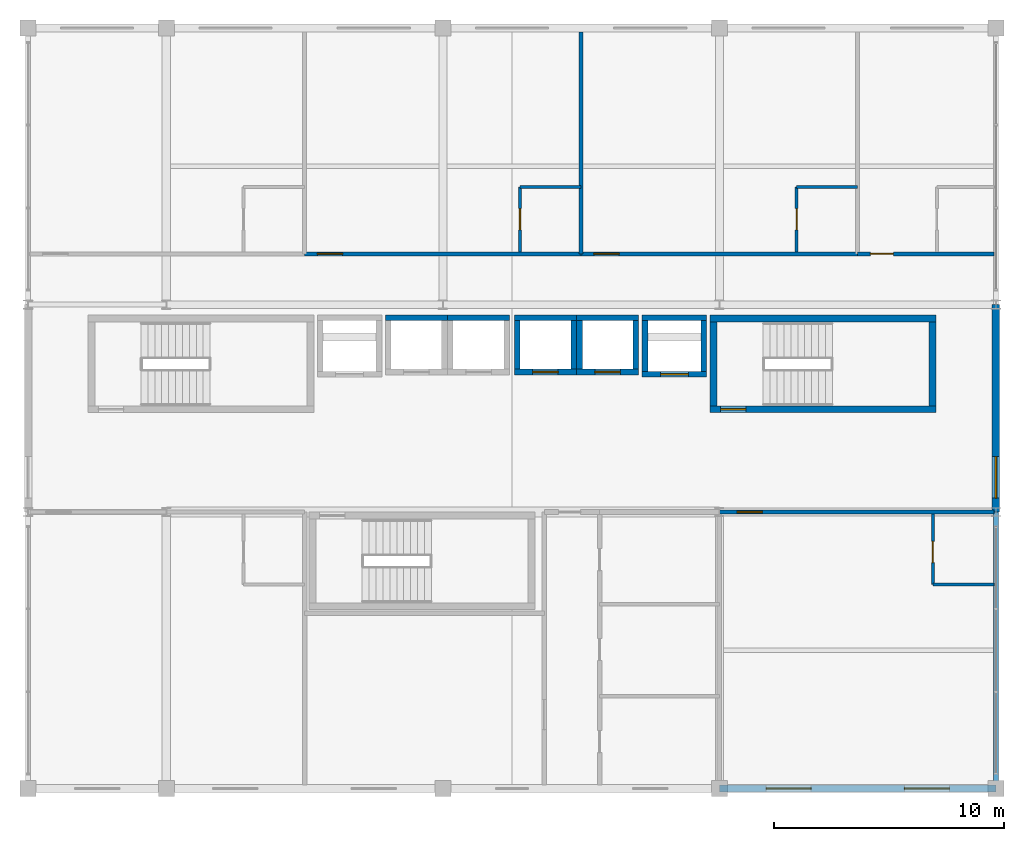
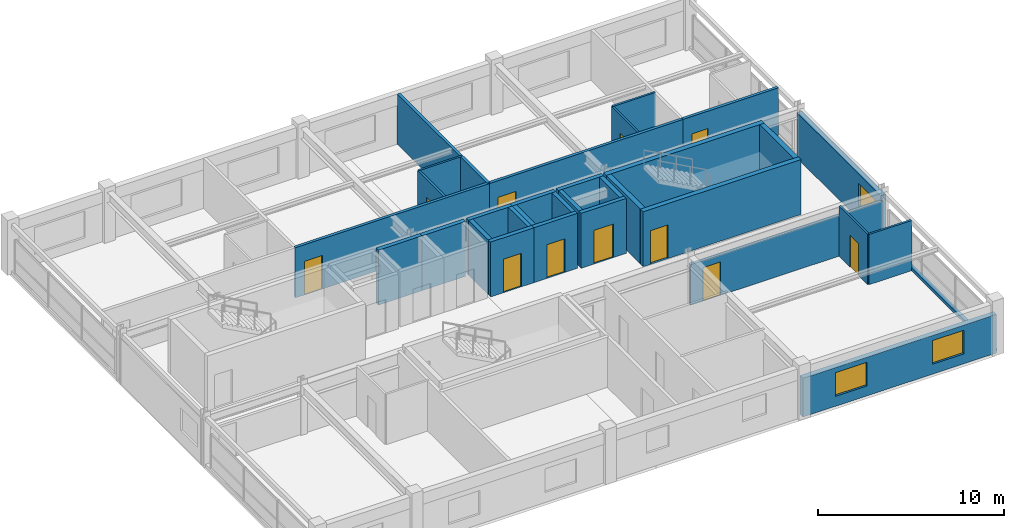
# One storey, part 20 of 22: 32 walls, 11 doors, 3 windows, 14 openings.
"""IFC4 building model written with IfcOpenShell, lengths in metres."""

from ifc_helpers import new_model, si_unit, direction, frame, frame_2d, origin, place, context, subcontext, project, spatial, rectangle, extrude, material, layer, layer_set, type_object, element, fill, save


model = new_model("IFC4")

# Units and contexts
model_context = context("Model", 3, precision=1e-05, world=origin(), true_north=direction((0.0, 1.0)))
body_context = subcontext(model_context, "Body", "Model", "MODEL_VIEW")
ifc_project = project(units=[si_unit("LENGTHUNIT", "METRE"), si_unit("AREAUNIT", "SQUARE_METRE"), si_unit("VOLUMEUNIT", "CUBIC_METRE"), si_unit("PLANEANGLEUNIT", "RADIAN"), si_unit("MASSUNIT", "GRAM", prefix="KILO")], contexts=[model_context])

# Site, building, storey
site_placement = place(None, origin())
site = spatial("IfcSite", under=ifc_project, at=site_placement, CompositionType="ELEMENT")
building_placement = place(site_placement, origin())
building = spatial("IfcBuilding", under=site, at=building_placement, Name="Kaldorvane Square Convention Centre", CompositionType="ELEMENT")
storey_placement = place(building_placement, frame((0.0, 0.0, 63.600006103515625)))
storey = spatial("IfcBuildingStorey", under=building, at=storey_placement, Name="L15", CompositionType="ELEMENT", Elevation=63.600006103515625)

# Wall, opening, door
ifc_material_1 = material(Name="Fire-Rated Gypsum Board on Acoustic Steel Studs", Category="steel")
ifc_layer_1 = layer(ifc_material_1, 0.125)
ifc_layer_set_1 = layer_set([ifc_layer_1], Name="Fire-Rated Gypsum Board on Acoustic Steel Studs")
wall_type_1 = type_object("IfcWallType", Name="WL-BATH-125", PredefinedType="PARTITIONING", material=ifc_layer_set_1)
wall_1_placement = place(storey_placement, frame((57.350006103515625, 107.28999328613281, 0.0), z_axis=(0.0, 0.0, 1.0), x_axis=(0.0, 1.0, 0.0)))
wall_1 = element("IfcWall", 1, at=wall_1_placement, inside=storey, type_object=wall_type_1, Name="En-Suite 1502 West Wall", PredefinedType="PARTITIONING", context=body_context, shape_type="SweptSolid", body=[
    extrude(rectangle(XDim=2.8100128173828125, YDim=0.125, at=frame_2d((1.404998779296875, 0.0))), origin(), (0.0, 0.0, 1.0), 3.2899932861328125),
])
opening_1_placement = place(wall_1_placement, frame((0.9499969482421875, 0.0, 0.0)))
opening_1 = element("IfcOpeningElement", 2, at=opening_1_placement, cuts=wall_1, Name="Opening ID-12", PredefinedType="OPENING", context=body_context, shape_type="SweptSolid", body=[
    extrude(rectangle(XDim=0.9199981689453125, YDim=2.100006103515625, at=frame_2d((0.459991455078125, 1.0500030517578125))), frame((0.0, 0.0774993896484375, 0.0), z_axis=(0.0, -1.0, 0.0), x_axis=(1.0, 0.0, 0.0)), (0.0, 0.0, 1.0), 0.154998779296875),
])
ifc_material_2 = material(Name="Architectural Solid-Core White Oak")
door_type_1 = type_object("IfcDoorType", Name="DR-BATH-0920X2100", OperationType="SINGLE_SWING_RIGHT", PredefinedType="DOOR", material=ifc_material_2)
door_1_placement = place(opening_1_placement, origin())
door_1 = element("IfcDoor", 3, at=door_1_placement, inside=storey, type_object=door_type_1, Name="En-Suite Bathroom 1502 Door", OperationType="SINGLE_SWING_RIGHT", OverallHeight=2.100006103515625, OverallWidth=0.9199981689453125, PredefinedType="DOOR", context=body_context, shape_type="SweptSolid", body=[
    extrude(rectangle(XDim=0.9199981689453125, YDim=2.100006103515625, at=frame_2d((0.459991455078125, 1.0500030517578125))), frame((0.0, 0.024993896484375, 0.0), z_axis=(0.0, -1.0, 0.0), x_axis=(1.0, 0.0, 0.0)), (0.0, 0.0, 1.0), 0.0500030517578125),
])
fill(opening_1, door_1)

# Wall
wall_2_placement = place(storey_placement, frame((57.350006103515625, 110.10000610351562, 0.0), z_axis=(0.0, 0.0, 1.0), x_axis=(1.0, 0.0, 0.0)))
element("IfcWall", 4, at=wall_2_placement, inside=storey, type_object=wall_type_1, Name="En-Suite 1502 North Wall", PredefinedType="PARTITIONING", context=body_context, shape_type="SweptSolid", body=[
    extrude(rectangle(XDim=2.649993896484375, YDim=0.125, at=frame_2d((1.3249969482421875, 0.0))), origin(), (0.0, 0.0, 1.0), 3.2899932861328125),
])

# Wall, opening, door
wall_3_placement = place(storey_placement, frame((69.35000610351562, 107.28999328613281, 0.0), z_axis=(0.0, 0.0, 1.0), x_axis=(0.0, 1.0, 0.0)))
wall_3 = element("IfcWall", 5, at=wall_3_placement, inside=storey, type_object=wall_type_1, Name="En-Suite 1503 West Wall", PredefinedType="PARTITIONING", context=body_context, shape_type="SweptSolid", body=[
    extrude(rectangle(XDim=2.8100128173828125, YDim=0.125, at=frame_2d((1.404998779296875, 0.0))), origin(), (0.0, 0.0, 1.0), 3.2899932861328125),
])
opening_2_placement = place(wall_3_placement, frame((0.9499969482421875, 0.0, 0.0)))
opening_2 = element("IfcOpeningElement", 6, at=opening_2_placement, cuts=wall_3, Name="Opening ID-12", PredefinedType="OPENING", context=body_context, shape_type="SweptSolid", body=[
    extrude(rectangle(XDim=0.9199981689453125, YDim=2.100006103515625, at=frame_2d((0.459991455078125, 1.0500030517578125))), frame((0.0, 0.0774993896484375, 0.0), z_axis=(0.0, -1.0, 0.0), x_axis=(1.0, 0.0, 0.0)), (0.0, 0.0, 1.0), 0.154998779296875),
])
door_2_placement = place(opening_2_placement, origin())
door_2 = element("IfcDoor", 7, at=door_2_placement, inside=storey, type_object=door_type_1, Name="En-Suite Bathroom 1503 Door", OperationType="SINGLE_SWING_RIGHT", OverallHeight=2.100006103515625, OverallWidth=0.9199981689453125, PredefinedType="DOOR", context=body_context, shape_type="SweptSolid", body=[
    extrude(rectangle(XDim=0.9199981689453125, YDim=2.100006103515625, at=frame_2d((0.459991455078125, 1.0500030517578125))), frame((0.0, 0.024993896484375, 0.0), z_axis=(0.0, -1.0, 0.0), x_axis=(1.0, 0.0, 0.0)), (0.0, 0.0, 1.0), 0.0500030517578125),
])
fill(opening_2, door_2)

# Wall
wall_4_placement = place(storey_placement, frame((69.35000610351562, 110.10000610351562, 0.0), z_axis=(0.0, 0.0, 1.0), x_axis=(1.0, 0.0, 0.0)))
element("IfcWall", 8, at=wall_4_placement, inside=storey, type_object=wall_type_1, Name="En-Suite 1503 North Wall", PredefinedType="PARTITIONING", context=body_context, shape_type="SweptSolid", body=[
    extrude(rectangle(XDim=2.649993896484375, YDim=0.125, at=frame_2d((1.3249969482421875, 0.0))), origin(), (0.0, 0.0, 1.0), 3.2899932861328125),
])

# Wall, opening, door
wall_5_placement = place(storey_placement, frame((75.26499938964844, 92.85000610351562, 0.0), z_axis=(0.0, 0.0, 1.0), x_axis=(0.0, 1.0, 0.0)))
wall_5 = element("IfcWall", 9, at=wall_5_placement, inside=storey, type_object=wall_type_1, Name="En-Suite 1506 West Wall", PredefinedType="PARTITIONING", context=body_context, shape_type="SweptSolid", body=[
    extrude(rectangle(XDim=3.05999755859375, YDim=0.125, at=frame_2d((1.529998779296875, 0.0))), origin(), (0.0, 0.0, 1.0), 3.2899932861328125),
])
opening_3_placement = place(wall_5_placement, frame((0.9499969482421875, 0.0, 0.0)))
opening_3 = element("IfcOpeningElement", 10, at=opening_3_placement, cuts=wall_5, Name="Opening ID-12", PredefinedType="OPENING", context=body_context, shape_type="SweptSolid", body=[
    extrude(rectangle(XDim=0.9199981689453125, YDim=2.100006103515625, at=frame_2d((0.459991455078125, 1.0500030517578125))), frame((0.0, 0.0774993896484375, 0.0), z_axis=(0.0, -1.0, 0.0), x_axis=(1.0, 0.0, 0.0)), (0.0, 0.0, 1.0), 0.154998779296875),
])
door_3_placement = place(opening_3_placement, origin())
door_3 = element("IfcDoor", 11, at=door_3_placement, inside=storey, type_object=door_type_1, Name="En-Suite Bathroom 1506 Door", OperationType="SINGLE_SWING_RIGHT", OverallHeight=2.100006103515625, OverallWidth=0.9199981689453125, PredefinedType="DOOR", context=body_context, shape_type="SweptSolid", body=[
    extrude(rectangle(XDim=0.9199981689453125, YDim=2.100006103515625, at=frame_2d((0.459991455078125, 1.0500030517578125))), frame((0.0, 0.024993896484375, 0.0), z_axis=(0.0, -1.0, 0.0), x_axis=(1.0, 0.0, 0.0)), (0.0, 0.0, 1.0), 0.0500030517578125),
])
fill(opening_3, door_3)

# Wall
wall_6_placement = place(storey_placement, frame((75.26499938964844, 92.85000610351562, 0.0), z_axis=(0.0, 0.0, 1.0), x_axis=(1.0, 0.0, 0.0)))
element("IfcWall", 12, at=wall_6_placement, inside=storey, type_object=wall_type_1, Name="En-Suite 1506 South Wall", PredefinedType="PARTITIONING", context=body_context, shape_type="SweptSolid", body=[
    extrude(rectangle(XDim=2.649993896484375, YDim=0.125, at=frame_2d((1.3249969482421875, 0.0))), origin(), (0.0, 0.0, 1.0), 3.2899932861328125),
])

# Wall, openings, windows
ifc_material_3 = material(Name="Concrete f'c = 35 MPa (Normalweight)", Category="concrete")
ifc_layer_2 = layer(ifc_material_3, 0.32000732421875)
ifc_layer_set_2 = layer_set([ifc_layer_2], Name="Concrete f'c = 35 MPa (Normalweight)")
wall_type_2 = type_object("IfcWallType", Name="WL-EXT-320", PredefinedType="STANDARD", material=ifc_layer_set_2)
wall_7_placement = place(storey_placement, frame((66.0, 84.0, 0.0), z_axis=(0.0, 0.0, 1.0), x_axis=(1.0, 0.0, 0.0)))
wall_7 = element("IfcWall", 13, at=wall_7_placement, inside=storey, type_object=wall_type_2, Name="Hotel S Brutalist Facade Wall (L15)", PredefinedType="STANDARD", context=body_context, shape_type="SweptSolid", body=[
    extrude(rectangle(XDim=12.0, YDim=0.32000732421875, at=frame_2d((6.0, 0.0))), origin(), (0.0, 0.0, 1.0), 2.5359954833984375),
])
opening_4_placement = place(wall_7_placement, frame((2.024993896484375, 0.0, 0.649993896484375)))
opening_4 = element("IfcOpeningElement", 14, at=opening_4_placement, cuts=wall_7, Name="Opening W-12", PredefinedType="OPENING", context=body_context, shape_type="SweptSolid", body=[
    extrude(rectangle(XDim=1.9499969482421875, YDim=1.5500030517578125, at=frame_2d((0.975006103515625, 0.774993896484375))), frame((0.0, 0.1750030517578125, 0.0), z_axis=(0.0, -1.0, 0.0), x_axis=(1.0, 0.0, 0.0)), (0.0, 0.0, 1.0), 0.350006103515625),
])
opening_5_placement = place(wall_7_placement, frame((8.024993896484375, 0.0, 0.649993896484375)))
opening_5 = element("IfcOpeningElement", 15, at=opening_5_placement, cuts=wall_7, Name="Opening W-12", PredefinedType="OPENING", context=body_context, shape_type="SweptSolid", body=[
    extrude(rectangle(XDim=1.9499969482421875, YDim=1.5500030517578125, at=frame_2d((0.975006103515625, 0.774993896484375))), frame((0.0, 0.1750030517578125, 0.0), z_axis=(0.0, -1.0, 0.0), x_axis=(1.0, 0.0, 0.0)), (0.0, 0.0, 1.0), 0.350006103515625),
])
ifc_material_4 = material(Name="Anodized Aluminum and Low-E Insulated Glazing", Category="aluminium")
window_type_1 = type_object("IfcWindowType", Name="WN-HTL-1950X1550", PartitioningType="DOUBLE_PANEL_VERTICAL", PredefinedType="WINDOW", material=ifc_material_4)
window_1_placement = place(opening_4_placement, origin())
window_1 = element("IfcWindow", 16, at=window_1_placement, inside=storey, type_object=window_type_1, Name="Hotel S Window (L15)", OverallHeight=1.5500030517578125, OverallWidth=1.9499969482421875, PartitioningType="DOUBLE_PANEL_VERTICAL", PredefinedType="WINDOW", context=body_context, shape_type="SweptSolid", body=[
    extrude(rectangle(XDim=1.9499969482421875, YDim=1.5500030517578125, at=frame_2d((0.975006103515625, 0.774993896484375))), frame((0.0, 0.029998779296875, 0.0), z_axis=(0.0, -1.0, 0.0), x_axis=(1.0, 0.0, 0.0)), (0.0, 0.0, 1.0), 0.05999755859375),
])
fill(opening_4, window_1)
window_2_placement = place(opening_5_placement, origin())
window_2 = element("IfcWindow", 17, at=window_2_placement, inside=storey, type_object=window_type_1, Name="Hotel S Window (L15)", OverallHeight=1.5500030517578125, OverallWidth=1.9499969482421875, PartitioningType="DOUBLE_PANEL_VERTICAL", PredefinedType="WINDOW", context=body_context, shape_type="SweptSolid", body=[
    extrude(rectangle(XDim=1.9499969482421875, YDim=1.5500030517578125, at=frame_2d((0.975006103515625, 0.774993896484375))), frame((0.0, 0.029998779296875, 0.0), z_axis=(0.0, -1.0, 0.0), x_axis=(1.0, 0.0, 0.0)), (0.0, 0.0, 1.0), 0.05999755859375),
])
fill(opening_5, window_2)

# Wall, opening, window
wall_8_placement = place(storey_placement, frame((78.0, 96.0, 0.0), z_axis=(0.0, 0.0, 1.0), x_axis=(0.0, 1.0, 0.0)))
wall_8 = element("IfcWall", 18, at=wall_8_placement, inside=storey, type_object=wall_type_2, Name="Hotel E End Wall (L15)", PredefinedType="STANDARD", context=body_context, shape_type="SweptSolid", body=[
    extrude(rectangle(XDim=9.0, YDim=0.32000732421875, at=frame_2d((4.5, 0.0))), origin(), (0.0, 0.0, 1.0), 2.980987548828125),
])
opening_6_placement = place(wall_8_placement, frame((0.600006103515625, 0.0, 0.850006103515625)))
opening_6 = element("IfcOpeningElement", 19, at=opening_6_placement, cuts=wall_8, Name="Opening W-11", PredefinedType="OPENING", context=body_context, shape_type="SweptSolid", body=[
    extrude(rectangle(XDim=1.8000030517578125, YDim=1.5, at=frame_2d((0.899993896484375, 0.75))), frame((0.0, 0.1750030517578125, 0.0), z_axis=(0.0, -1.0, 0.0), x_axis=(1.0, 0.0, 0.0)), (0.0, 0.0, 1.0), 0.350006103515625),
])
window_type_2 = type_object("IfcWindowType", Name="WN-HTL-1800X1500", PartitioningType="SINGLE_PANEL", PredefinedType="WINDOW", material=ifc_material_4)
window_3_placement = place(opening_6_placement, origin())
window_3 = element("IfcWindow", 20, at=window_3_placement, inside=storey, type_object=window_type_2, Name="Hotel End Window E (L15)", OverallHeight=1.5, OverallWidth=1.8000030517578125, PartitioningType="SINGLE_PANEL", PredefinedType="WINDOW", context=body_context, shape_type="SweptSolid", body=[
    extrude(rectangle(XDim=1.8000030517578125, YDim=1.5, at=frame_2d((0.899993896484375, 0.75))), frame((0.0, 0.029998779296875, 0.0), z_axis=(0.0, -1.0, 0.0), x_axis=(1.0, 0.0, 0.0)), (0.0, 0.0, 1.0), 0.05999755859375),
])
fill(opening_6, window_3)

# Wall
ifc_layer_3 = layer(ifc_material_3, 0.220001220703125)
ifc_layer_set_3 = layer_set([ifc_layer_3], Name="Concrete f'c = 35 MPa (Normalweight)")
wall_type_3 = type_object("IfcWallType", Name="WL-PAR-220", PredefinedType="PARAPET", material=ifc_layer_set_3)
wall_9_placement = place(storey_placement, frame((78.0, 84.0, 0.0), z_axis=(0.0, 0.0, 1.0), x_axis=(0.0, 1.0, 0.0)))
element("IfcWall", 21, at=wall_9_placement, inside=storey, type_object=wall_type_3, Name="Hotel End Curtain-Wall Sill (L15)", PredefinedType="PARAPET", context=body_context, shape_type="SweptSolid", body=[
    extrude(rectangle(XDim=12.0, YDim=0.220001220703125, at=frame_2d((6.0, 0.0))), origin(), (0.0, 0.0, 1.0), 0.1999969482421875),
])

# Wall, opening, door
ifc_material_5 = material(Name="Concrete f'c = 55 MPa (Normalweight)", Category="concrete")
ifc_layer_4 = layer(ifc_material_5, 0.3000030517578125)
ifc_layer_set_4 = layer_set([ifc_layer_4], Name="Concrete f'c = 55 MPa (Normalweight)")
wall_type_4 = type_object("IfcWallType", Name="WL-SHAFT-300", PredefinedType="SHEAR", material=ifc_layer_set_4)
wall_10_placement = place(storey_placement, frame((65.60000610351562, 100.46000671386719, 0.0), z_axis=(0.0, 0.0, 1.0), x_axis=(1.0, 0.0, 0.0)))
wall_10 = element("IfcWall", 22, at=wall_10_placement, inside=storey, type_object=wall_type_4, Name="Core Enclosure Wall stair:ST-T2-S (L15)", PredefinedType="SHEAR", context=body_context, shape_type="SweptSolid", body=[
    extrude(rectangle(XDim=9.79998779296875, YDim=0.3000030517578125, at=frame_2d((4.899993896484375, 0.0))), origin(), (0.0, 0.0, 1.0), 3.5999908447265625),
])
opening_7_placement = place(wall_10_placement, frame((0.4499969482421875, 0.0, 0.0)))
opening_7 = element("IfcOpeningElement", 23, at=opening_7_placement, cuts=wall_10, Name="Opening FD90-S1", PredefinedType="OPENING", context=body_context, shape_type="SweptSolid", body=[
    extrude(rectangle(XDim=1.100006103515625, YDim=2.1999969482421875, at=frame_2d((0.5500030517578125, 1.100006103515625))), frame((0.0, 0.165008544921875, 0.0), z_axis=(0.0, -1.0, 0.0), x_axis=(1.0, 0.0, 0.0)), (0.0, 0.0, 1.0), 0.3300018310546875),
])
ifc_material_6 = material(Name="Fire-Rated Hollow Metal Steel", Category="steel")
door_type_2 = type_object("IfcDoorType", Name="DR-STAIR-1100", OperationType="SINGLE_SWING_RIGHT", PredefinedType="DOOR", material=ifc_material_6)
door_4_placement = place(opening_7_placement, origin())
door_4 = element("IfcDoor", 24, at=door_4_placement, inside=storey, type_object=door_type_2, Name="Tower Exit Stair T2 Fire Door (L15)", OperationType="SINGLE_SWING_RIGHT", OverallHeight=2.1999969482421875, OverallWidth=1.100006103515625, PredefinedType="DOOR", context=body_context, shape_type="SweptSolid", body=[
    extrude(rectangle(XDim=1.100006103515625, YDim=2.1999969482421875, at=frame_2d((0.5500030517578125, 1.100006103515625))), frame((0.0, 0.024993896484375, 0.0), z_axis=(0.0, -1.0, 0.0), x_axis=(1.0, 0.0, 0.0)), (0.0, 0.0, 1.0), 0.0500030517578125),
])
fill(opening_7, door_4)

# Walls
wall_11_placement = place(storey_placement, frame((75.39999389648438, 104.39999389648438, 0.0), z_axis=(0.0, 0.0, 1.0), x_axis=(-1.0, 0.0, 0.0)))
element("IfcWall", 25, at=wall_11_placement, inside=storey, type_object=wall_type_4, Name="Core Enclosure Wall stair:ST-T2-N (L15)", PredefinedType="SHEAR", context=body_context, shape_type="SweptSolid", body=[
    extrude(rectangle(XDim=9.79998779296875, YDim=0.3000030517578125, at=frame_2d((4.899993896484375, 0.0))), origin(), (0.0, 0.0, 1.0), 3.5999908447265625),
])
for number, where, z_axis, x_axis, name in (
    (26, (65.75, 104.25, 0.0), (0.0, 0.0, 1.0), (0.0, -1.0, 0.0), "Core Enclosure Wall stair:ST-T2-W (L15)"),
    (27, (75.25, 100.61000061035156, 0.0), (0.0, 0.0, 1.0), (0.0, 1.0, 0.0), "Core Enclosure Wall stair:ST-T2-E (L15)"),
):
    element("IfcWall", number, at=place(storey_placement, frame(where, z_axis=z_axis, x_axis=x_axis)), inside=storey, type_object=wall_type_4, Name=name, PredefinedType="SHEAR", context=body_context, shape_type="SweptSolid", body=[
        extrude(rectangle(XDim=3.6399993896484375, YDim=0.3000030517578125, at=frame_2d((1.82000732421875, 0.0))), origin(), (0.0, 0.0, 1.0), 3.5999908447265625),
    ])

# Wall, opening, door
wall_12_placement = place(storey_placement, frame((62.649993896484375, 101.97500610351562, 0.0), z_axis=(0.0, 0.0, 1.0), x_axis=(1.0, 0.0, 0.0)))
wall_12 = element("IfcWall", 28, at=wall_12_placement, inside=storey, type_object=wall_type_4, Name="Core Enclosure Wall lift:FSAE-02-S (L15)", PredefinedType="SHEAR", context=body_context, shape_type="SweptSolid", body=[
    extrude(rectangle(XDim=2.8000030517578125, YDim=0.25, at=frame_2d((1.399993896484375, 0.0))), origin(), (0.0, 0.0, 1.0), 3.5999908447265625),
])
opening_8_placement = place(wall_12_placement, frame((0.8000030517578125, 0.0, 0.0)))
opening_8 = element("IfcOpeningElement", 29, at=opening_8_placement, cuts=wall_12, Name="Opening LD-02", PredefinedType="OPENING", context=body_context, shape_type="SweptSolid", body=[
    extrude(rectangle(XDim=1.1999969482421875, YDim=2.1999969482421875, at=frame_2d((0.600006103515625, 1.100006103515625))), frame((0.0, 0.1399993896484375, 0.0), z_axis=(0.0, -1.0, 0.0), x_axis=(1.0, 0.0, 0.0)), (0.0, 0.0, 1.0), 0.279998779296875),
])
ifc_material_7 = material(Name="Stainless Steel Elevator Door Assembly", Category="steel")
door_type_3 = type_object("IfcDoorType", Name="DR-LIFT-1200", OperationType="DOUBLE_DOOR_SLIDING", PredefinedType="DOOR", material=ifc_material_7)
door_5_placement = place(opening_8_placement, origin())
door_5 = element("IfcDoor", 30, at=door_5_placement, inside=storey, type_object=door_type_3, Name="Elevator Landing Door FSAE-02 (L15)", OperationType="DOUBLE_DOOR_SLIDING", OverallHeight=2.1999969482421875, OverallWidth=1.1999969482421875, PredefinedType="DOOR", context=body_context, shape_type="SweptSolid", body=[
    extrude(rectangle(XDim=1.1999969482421875, YDim=2.1999969482421875, at=frame_2d((0.600006103515625, 1.100006103515625))), frame((0.0, 0.024993896484375, 0.0), z_axis=(0.0, -1.0, 0.0), x_axis=(1.0, 0.0, 0.0)), (0.0, 0.0, 1.0), 0.0500030517578125),
])
fill(opening_8, door_5)

# Walls
wall_13_placement = place(storey_placement, frame((65.44999694824219, 104.42500305175781, 0.0), z_axis=(0.0, 0.0, 1.0), x_axis=(-1.0, 0.0, 0.0)))
element("IfcWall", 31, at=wall_13_placement, inside=storey, type_object=wall_type_4, Name="Core Enclosure Wall lift:FSAE-02-N (L15)", PredefinedType="SHEAR", context=body_context, shape_type="SweptSolid", body=[
    extrude(rectangle(XDim=2.8000030517578125, YDim=0.25, at=frame_2d((1.399993896484375, 0.0))), origin(), (0.0, 0.0, 1.0), 3.5999908447265625),
])
for number, where, z_axis, x_axis, name in (
    (32, (62.774993896484375, 104.30000305175781, 0.0), (0.0, 0.0, 1.0), (0.0, -1.0, 0.0), "Core Enclosure Wall lift:FSAE-02-W (L15)"),
    (33, (65.32499694824219, 102.10000610351562, 0.0), (0.0, 0.0, 1.0), (0.0, 1.0, 0.0), "Core Enclosure Wall lift:FSAE-02-E (L15)"),
):
    element("IfcWall", number, at=place(storey_placement, frame(where, z_axis=z_axis, x_axis=x_axis)), inside=storey, type_object=wall_type_4, Name=name, PredefinedType="SHEAR", context=body_context, shape_type="SweptSolid", body=[
        extrude(rectangle(XDim=2.1999969482421875, YDim=0.25, at=frame_2d((1.100006103515625, 0.0))), origin(), (0.0, 0.0, 1.0), 3.5999908447265625),
    ])
for number, where, z_axis, x_axis, name in (
    (34, (54.19999694824219, 104.42500305175781, 0.0), (0.0, 0.0, 1.0), (-1.0, 0.0, 0.0), "Core Enclosure Wall lift:EL-P1-N (L15)"),
    (35, (56.899993896484375, 104.42500305175781, 0.0), (0.0, 0.0, 1.0), (-1.0, 0.0, 0.0), "Core Enclosure Wall lift:EL-P2-N (L15)"),
):
    element("IfcWall", number, at=place(storey_placement, frame(where, z_axis=z_axis, x_axis=x_axis)), inside=storey, type_object=wall_type_4, Name=name, PredefinedType="SHEAR", context=body_context, shape_type="SweptSolid", body=[
        extrude(rectangle(XDim=2.6999969482421875, YDim=0.25, at=frame_2d((1.350006103515625, 0.0))), origin(), (0.0, 0.0, 1.0), 3.5999908447265625),
    ])

# Wall, opening, door
wall_14_placement = place(storey_placement, frame((57.100006103515625, 102.07499694824219, 0.0), z_axis=(0.0, 0.0, 1.0), x_axis=(1.0, 0.0, 0.0)))
wall_14 = element("IfcWall", 36, at=wall_14_placement, inside=storey, type_object=wall_type_4, Name="Core Enclosure Wall lift:EL-P3-S (L15)", PredefinedType="SHEAR", context=body_context, shape_type="SweptSolid", body=[
    extrude(rectangle(XDim=2.6999969482421875, YDim=0.25, at=frame_2d((1.350006103515625, 0.0))), origin(), (0.0, 0.0, 1.0), 3.5999908447265625),
])
opening_9_placement = place(wall_14_placement, frame((0.8000030517578125, 0.0, 0.0)))
opening_9 = element("IfcOpeningElement", 37, at=opening_9_placement, cuts=wall_14, Name="Opening LD-01", PredefinedType="OPENING", context=body_context, shape_type="SweptSolid", body=[
    extrude(rectangle(XDim=1.100006103515625, YDim=2.1999969482421875, at=frame_2d((0.5500030517578125, 1.100006103515625))), frame((0.0, 0.1399993896484375, 0.0), z_axis=(0.0, -1.0, 0.0), x_axis=(1.0, 0.0, 0.0)), (0.0, 0.0, 1.0), 0.279998779296875),
])
door_type_4 = type_object("IfcDoorType", Name="DR-LIFT-1100", OperationType="DOUBLE_DOOR_SLIDING", PredefinedType="DOOR", material=ifc_material_7)
door_6_placement = place(opening_9_placement, origin())
door_6 = element("IfcDoor", 38, at=door_6_placement, inside=storey, type_object=door_type_4, Name="Elevator Landing Door EL-P3 (L15)", OperationType="DOUBLE_DOOR_SLIDING", OverallHeight=2.1999969482421875, OverallWidth=1.100006103515625, PredefinedType="DOOR", context=body_context, shape_type="SweptSolid", body=[
    extrude(rectangle(XDim=1.100006103515625, YDim=2.1999969482421875, at=frame_2d((0.5500030517578125, 1.100006103515625))), frame((0.0, 0.024993896484375, 0.0), z_axis=(0.0, -1.0, 0.0), x_axis=(1.0, 0.0, 0.0)), (0.0, 0.0, 1.0), 0.0500030517578125),
])
fill(opening_9, door_6)

# Walls
wall_15_placement = place(storey_placement, frame((59.80000305175781, 104.42500305175781, 0.0), z_axis=(0.0, 0.0, 1.0), x_axis=(-1.0, 0.0, 0.0)))
element("IfcWall", 39, at=wall_15_placement, inside=storey, type_object=wall_type_4, Name="Core Enclosure Wall lift:EL-P3-N (L15)", PredefinedType="SHEAR", context=body_context, shape_type="SweptSolid", body=[
    extrude(rectangle(XDim=2.6999969482421875, YDim=0.25, at=frame_2d((1.350006103515625, 0.0))), origin(), (0.0, 0.0, 1.0), 3.5999908447265625),
])
for number, where, z_axis, x_axis, name in (
    (40, (57.225006103515625, 104.30000305175781, 0.0), (0.0, 0.0, 1.0), (0.0, -1.0, 0.0), "Core Enclosure Wall lift:EL-P3-W (L15)"),
    (41, (59.67500305175781, 102.19999694824219, 0.0), (0.0, 0.0, 1.0), (0.0, 1.0, 0.0), "Core Enclosure Wall lift:EL-P3-E (L15)"),
):
    element("IfcWall", number, at=place(storey_placement, frame(where, z_axis=z_axis, x_axis=x_axis)), inside=storey, type_object=wall_type_4, Name=name, PredefinedType="SHEAR", context=body_context, shape_type="SweptSolid", body=[
        extrude(rectangle(XDim=2.100006103515625, YDim=0.25, at=frame_2d((1.0500030517578125, 0.0))), origin(), (0.0, 0.0, 1.0), 3.5999908447265625),
    ])

# Wall, opening, door
wall_16_placement = place(storey_placement, frame((59.80000305175781, 102.07499694824219, 0.0), z_axis=(0.0, 0.0, 1.0), x_axis=(1.0, 0.0, 0.0)))
wall_16 = element("IfcWall", 42, at=wall_16_placement, inside=storey, type_object=wall_type_4, Name="Core Enclosure Wall lift:EL-P4-S (L15)", PredefinedType="SHEAR", context=body_context, shape_type="SweptSolid", body=[
    extrude(rectangle(XDim=2.6999969482421875, YDim=0.25, at=frame_2d((1.350006103515625, 0.0))), origin(), (0.0, 0.0, 1.0), 3.5999908447265625),
])
opening_10_placement = place(wall_16_placement, frame((0.8000030517578125, 0.0, 0.0)))
opening_10 = element("IfcOpeningElement", 43, at=opening_10_placement, cuts=wall_16, Name="Opening LD-01", PredefinedType="OPENING", context=body_context, shape_type="SweptSolid", body=[
    extrude(rectangle(XDim=1.100006103515625, YDim=2.1999969482421875, at=frame_2d((0.5500030517578125, 1.100006103515625))), frame((0.0, 0.1399993896484375, 0.0), z_axis=(0.0, -1.0, 0.0), x_axis=(1.0, 0.0, 0.0)), (0.0, 0.0, 1.0), 0.279998779296875),
])
door_7_placement = place(opening_10_placement, origin())
door_7 = element("IfcDoor", 44, at=door_7_placement, inside=storey, type_object=door_type_4, Name="Elevator Landing Door EL-P4 (L15)", OperationType="DOUBLE_DOOR_SLIDING", OverallHeight=2.1999969482421875, OverallWidth=1.100006103515625, PredefinedType="DOOR", context=body_context, shape_type="SweptSolid", body=[
    extrude(rectangle(XDim=1.100006103515625, YDim=2.1999969482421875, at=frame_2d((0.5500030517578125, 1.100006103515625))), frame((0.0, 0.024993896484375, 0.0), z_axis=(0.0, -1.0, 0.0), x_axis=(1.0, 0.0, 0.0)), (0.0, 0.0, 1.0), 0.0500030517578125),
])
fill(opening_10, door_7)

# Walls
wall_17_placement = place(storey_placement, frame((62.5, 104.42500305175781, 0.0), z_axis=(0.0, 0.0, 1.0), x_axis=(-1.0, 0.0, 0.0)))
element("IfcWall", 45, at=wall_17_placement, inside=storey, type_object=wall_type_4, Name="Core Enclosure Wall lift:EL-P4-N (L15)", PredefinedType="SHEAR", context=body_context, shape_type="SweptSolid", body=[
    extrude(rectangle(XDim=2.6999969482421875, YDim=0.25, at=frame_2d((1.350006103515625, 0.0))), origin(), (0.0, 0.0, 1.0), 3.5999908447265625),
])
for number, where, z_axis, x_axis, name in (
    (46, (59.92500305175781, 104.30000305175781, 0.0), (0.0, 0.0, 1.0), (0.0, -1.0, 0.0), "Core Enclosure Wall lift:EL-P4-W (L15)"),
    (47, (62.375, 102.19999694824219, 0.0), (0.0, 0.0, 1.0), (0.0, 1.0, 0.0), "Core Enclosure Wall lift:EL-P4-E (L15)"),
):
    element("IfcWall", number, at=place(storey_placement, frame(where, z_axis=z_axis, x_axis=x_axis)), inside=storey, type_object=wall_type_4, Name=name, PredefinedType="SHEAR", context=body_context, shape_type="SweptSolid", body=[
        extrude(rectangle(XDim=2.100006103515625, YDim=0.25, at=frame_2d((1.0500030517578125, 0.0))), origin(), (0.0, 0.0, 1.0), 3.5999908447265625),
    ])

# Wall, opening, door
ifc_layer_5 = layer(ifc_material_1, 0.17999267578125)
ifc_layer_set_5 = layer_set([ifc_layer_5], Name="Fire-Rated Gypsum Board on Acoustic Steel Studs")
wall_type_5 = type_object("IfcWallType", Name="WL-UNIT-180", PredefinedType="PARTITIONING", material=ifc_layer_set_5)
wall_18_placement = place(storey_placement, frame((48.0, 107.19999694824219, 0.0), z_axis=(0.0, 0.0, 1.0), x_axis=(1.0, 0.0, 0.0)))
wall_18 = element("IfcWall", 48, at=wall_18_placement, inside=storey, type_object=wall_type_5, Name="Presidential Suite 1502 Corridor Wall", PredefinedType="PARTITIONING", context=body_context, shape_type="SweptSolid", body=[
    extrude(rectangle(XDim=12.0, YDim=0.17999267578125, at=frame_2d((6.0, 0.0))), origin(), (0.0, 0.0, 1.0), 3.2899932861328125),
])
opening_11_placement = place(wall_18_placement, frame((0.5500030517578125, 0.0, 0.0)))
opening_11 = element("IfcOpeningElement", 49, at=opening_11_placement, cuts=wall_18, Name="Opening ID-11", PredefinedType="OPENING", context=body_context, shape_type="SweptSolid", body=[
    extrude(rectangle(XDim=1.100006103515625, YDim=2.1999969482421875, at=frame_2d((0.5500030517578125, 1.100006103515625))), frame((0.0, 0.1049957275390625, 0.0), z_axis=(0.0, -1.0, 0.0), x_axis=(1.0, 0.0, 0.0)), (0.0, 0.0, 1.0), 0.209991455078125),
])
door_type_5 = type_object("IfcDoorType", Name="DR-SUITE-1100X2200", OperationType="SINGLE_SWING_LEFT", PredefinedType="DOOR", material=ifc_material_2)
door_8_placement = place(opening_11_placement, origin())
door_8 = element("IfcDoor", 50, at=door_8_placement, inside=storey, type_object=door_type_5, Name="Presidential Suite 1502 Entry Door", OperationType="SINGLE_SWING_LEFT", OverallHeight=2.1999969482421875, OverallWidth=1.100006103515625, PredefinedType="DOOR", context=body_context, shape_type="SweptSolid", body=[
    extrude(rectangle(XDim=1.100006103515625, YDim=2.1999969482421875, at=frame_2d((0.5500030517578125, 1.100006103515625))), frame((0.0, 0.024993896484375, 0.0), z_axis=(0.0, -1.0, 0.0), x_axis=(1.0, 0.0, 0.0)), (0.0, 0.0, 1.0), 0.0500030517578125),
])
fill(opening_11, door_8)

# Wall
wall_19_placement = place(storey_placement, frame((60.0, 107.19999694824219, 0.0), z_axis=(0.0, 0.0, 1.0), x_axis=(0.0, 1.0, 0.0)))
element("IfcWall", 51, at=wall_19_placement, inside=storey, type_object=wall_type_5, Name="Guestroom Demising Wall 1502", PredefinedType="PARTITIONING", context=body_context, shape_type="SweptSolid", body=[
    extrude(rectangle(XDim=9.639999389648438, YDim=0.17999267578125, at=frame_2d((4.82000732421875, 0.0))), origin(), (0.0, 0.0, 1.0), 3.2899932861328125),
])

# Wall, opening, door
wall_20_placement = place(storey_placement, frame((60.0, 107.19999694824219, 0.0), z_axis=(0.0, 0.0, 1.0), x_axis=(1.0, 0.0, 0.0)))
wall_20 = element("IfcWall", 52, at=wall_20_placement, inside=storey, type_object=wall_type_5, Name="Presidential Suite 1503 Corridor Wall", PredefinedType="PARTITIONING", context=body_context, shape_type="SweptSolid", body=[
    extrude(rectangle(XDim=12.0, YDim=0.17999267578125, at=frame_2d((6.0, 0.0))), origin(), (0.0, 0.0, 1.0), 3.2899932861328125),
])
opening_12_placement = place(wall_20_placement, frame((0.5500030517578125, 0.0, 0.0)))
opening_12 = element("IfcOpeningElement", 53, at=opening_12_placement, cuts=wall_20, Name="Opening ID-11", PredefinedType="OPENING", context=body_context, shape_type="SweptSolid", body=[
    extrude(rectangle(XDim=1.100006103515625, YDim=2.1999969482421875, at=frame_2d((0.5500030517578125, 1.100006103515625))), frame((0.0, 0.1049957275390625, 0.0), z_axis=(0.0, -1.0, 0.0), x_axis=(1.0, 0.0, 0.0)), (0.0, 0.0, 1.0), 0.209991455078125),
])
door_9_placement = place(opening_12_placement, origin())
door_9 = element("IfcDoor", 54, at=door_9_placement, inside=storey, type_object=door_type_5, Name="Presidential Suite 1503 Entry Door", OperationType="SINGLE_SWING_LEFT", OverallHeight=2.1999969482421875, OverallWidth=1.100006103515625, PredefinedType="DOOR", context=body_context, shape_type="SweptSolid", body=[
    extrude(rectangle(XDim=1.100006103515625, YDim=2.1999969482421875, at=frame_2d((0.5500030517578125, 1.100006103515625))), frame((0.0, 0.024993896484375, 0.0), z_axis=(0.0, -1.0, 0.0), x_axis=(1.0, 0.0, 0.0)), (0.0, 0.0, 1.0), 0.0500030517578125),
])
fill(opening_12, door_9)

wall_21_placement = place(storey_placement, frame((72.0, 107.19999694824219, 0.0), z_axis=(0.0, 0.0, 1.0), x_axis=(1.0, 0.0, 0.0)))
wall_21 = element("IfcWall", 55, at=wall_21_placement, inside=storey, type_object=wall_type_5, Name="Hotel Guest Room 1504 Corridor Wall", PredefinedType="PARTITIONING", context=body_context, shape_type="SweptSolid", body=[
    extrude(rectangle(XDim=5.9149932861328125, YDim=0.17999267578125, at=frame_2d((2.957489013671875, 0.0))), origin(), (0.0, 0.0, 1.0), 3.2899932861328125),
])
opening_13_placement = place(wall_21_placement, frame((0.5500030517578125, 0.0, 0.0)))
opening_13 = element("IfcOpeningElement", 56, at=opening_13_placement, cuts=wall_21, Name="Opening ID-10", PredefinedType="OPENING", context=body_context, shape_type="SweptSolid", body=[
    extrude(rectangle(XDim=1.0, YDim=2.149993896484375, at=frame_2d((0.5, 1.0749969482421875))), frame((0.0, 0.1049957275390625, 0.0), z_axis=(0.0, -1.0, 0.0), x_axis=(1.0, 0.0, 0.0)), (0.0, 0.0, 1.0), 0.209991455078125),
])
door_type_6 = type_object("IfcDoorType", Name="DR-GUEST-1000X2150", OperationType="SINGLE_SWING_LEFT", PredefinedType="DOOR", material=ifc_material_2)
door_10_placement = place(opening_13_placement, origin())
door_10 = element("IfcDoor", 57, at=door_10_placement, inside=storey, type_object=door_type_6, Name="Hotel Guest Room 1504 Entry Door", OperationType="SINGLE_SWING_LEFT", OverallHeight=2.149993896484375, OverallWidth=1.0, PredefinedType="DOOR", context=body_context, shape_type="SweptSolid", body=[
    extrude(rectangle(XDim=1.0, YDim=2.149993896484375, at=frame_2d((0.5, 1.0749969482421875))), frame((0.0, 0.024993896484375, 0.0), z_axis=(0.0, -1.0, 0.0), x_axis=(1.0, 0.0, 0.0)), (0.0, 0.0, 1.0), 0.0500030517578125),
])
fill(opening_13, door_10)

wall_22_placement = place(storey_placement, frame((66.0, 96.0, 0.0), z_axis=(0.0, 0.0, 1.0), x_axis=(1.0, 0.0, 0.0)))
wall_22 = element("IfcWall", 58, at=wall_22_placement, inside=storey, type_object=wall_type_5, Name="Presidential Suite 1506 Corridor Wall", PredefinedType="PARTITIONING", context=body_context, shape_type="SweptSolid", body=[
    extrude(rectangle(XDim=11.914993286132812, YDim=0.17999267578125, at=frame_2d((5.957489013671875, 0.0))), origin(), (0.0, 0.0, 1.0), 2.66400146484375),
])
opening_14_placement = place(wall_22_placement, frame((0.7700042724609375, 0.0, 0.0)))
opening_14 = element("IfcOpeningElement", 59, at=opening_14_placement, cuts=wall_22, Name="Opening ID-11", PredefinedType="OPENING", context=body_context, shape_type="SweptSolid", body=[
    extrude(rectangle(XDim=1.100006103515625, YDim=2.1999969482421875, at=frame_2d((0.5500030517578125, 1.100006103515625))), frame((0.0, 0.1049957275390625, 0.0), z_axis=(0.0, -1.0, 0.0), x_axis=(1.0, 0.0, 0.0)), (0.0, 0.0, 1.0), 0.209991455078125),
])
door_11_placement = place(opening_14_placement, origin())
door_11 = element("IfcDoor", 60, at=door_11_placement, inside=storey, type_object=door_type_5, Name="Presidential Suite 1506 Entry Door", OperationType="SINGLE_SWING_LEFT", OverallHeight=2.1999969482421875, OverallWidth=1.100006103515625, PredefinedType="DOOR", context=body_context, shape_type="SweptSolid", body=[
    extrude(rectangle(XDim=1.100006103515625, YDim=2.1999969482421875, at=frame_2d((0.5500030517578125, 1.100006103515625))), frame((0.0, 0.024993896484375, 0.0), z_axis=(0.0, -1.0, 0.0), x_axis=(1.0, 0.0, 0.0)), (0.0, 0.0, 1.0), 0.0500030517578125),
])
fill(opening_14, door_11)

save(model, "model.ifc")
